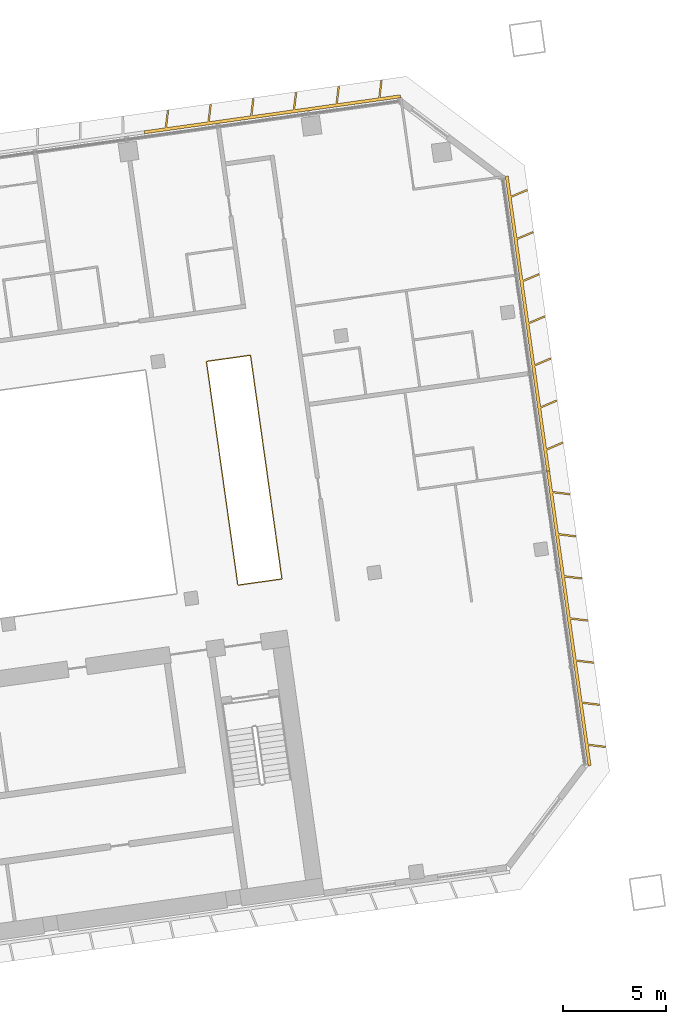
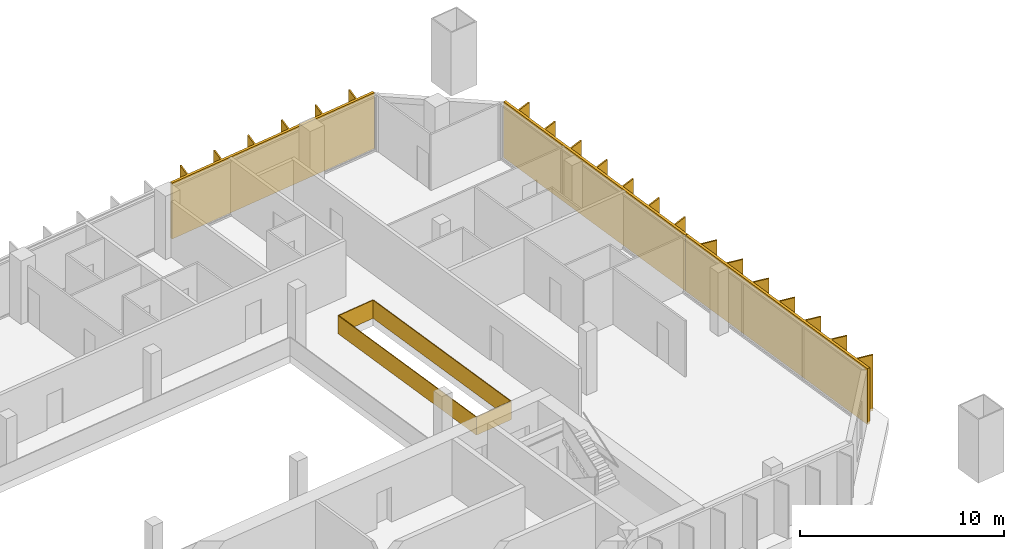
# One storey, part 27 of 27: 3 shading devices, 1 railing.
"""IFC4 building model written with IfcOpenShell, lengths in metres."""

from ifc_helpers import new_model, si_unit, direction, frame, origin, origin_2d, place, context, subcontext, project, spatial, polyline, rectangle, outline, extrude, material, type_object, element, save


model = new_model("IFC4")

# Units and contexts
model_context = context("Model", 3, precision=1e-05, world=origin(), true_north=direction((0.0, 1.0)))
body_context = subcontext(model_context, "Body", "Model", "MODEL_VIEW")
ifc_project = project(units=[si_unit("LENGTHUNIT", "METRE"), si_unit("AREAUNIT", "SQUARE_METRE"), si_unit("VOLUMEUNIT", "CUBIC_METRE"), si_unit("PLANEANGLEUNIT", "RADIAN"), si_unit("MASSUNIT", "GRAM", prefix="KILO")], contexts=[model_context])

# Site, building, storey
site_placement = place(None, origin())
site = spatial("IfcSite", under=ifc_project, at=site_placement, CompositionType="ELEMENT")
building_placement = place(site_placement, origin())
building = spatial("IfcBuilding", under=site, at=building_placement, Name="Mirante Cascada Hotel Towers", CompositionType="ELEMENT")
storey_placement = place(building_placement, frame((0.0, 0.0, 117.7)))
storey = spatial("IfcBuildingStorey", under=building, at=storey_placement, Name="L26", CompositionType="ELEMENT", Elevation=117.7)

# Railing
ifc_material_1 = material(Name="Toughened glass with stainless steel handrail", Category="steel")
railing_type = type_object("IfcRailingType", Name="Atrium guard 1100 glass balustrade", PredefinedType="GUARDRAIL", material=ifc_material_1)
railing_placement = place(storey_placement, frame((86.2624, 2.4738, 0.0)))
element("IfcRailing", 1, at=railing_placement, inside=storey, type_object=railing_type, Name="GUARD 2-L26-3", PredefinedType="GUARDRAIL", context=body_context, shape_type="SweptSolid", body=[
    extrude(rectangle(XDim=0.048, YDim=0.048, at=origin_2d()), frame((0.0, 0.0, 1.076), z_axis=(0.9902724, 0.1391422, 0.0), x_axis=(-0.1391422, 0.9902724, 0.0)), (0.0, 0.0, 1.0), 2.1625),
    extrude(rectangle(XDim=0.02, YDim=1.052, at=origin_2d()), frame((0.0, 0.0, 0.526), z_axis=(0.9902724, 0.1391422, 0.0), x_axis=(-0.1391422, 0.9902724, 0.0)), (0.0, 0.0, 1.0), 2.1625),
    extrude(rectangle(XDim=0.048, YDim=0.048, at=origin_2d()), frame((2.1415, 0.3009, 1.076), z_axis=(-0.1391721, 0.9902682, 0.0), x_axis=(-0.9902682, -0.1391721, 0.0)), (0.0, 0.0, 1.0), 11.0001),
    extrude(rectangle(XDim=0.02, YDim=1.052, at=origin_2d()), frame((2.1415, 0.3009, 0.526), z_axis=(-0.1391721, 0.9902682, 0.0), x_axis=(-0.9902682, -0.1391721, 0.0)), (0.0, 0.0, 1.0), 11.0001),
    extrude(rectangle(XDim=0.048, YDim=0.048, at=origin_2d()), frame((0.6106, 11.1939, 1.076), z_axis=(-0.990266, -0.1391875, 0.0), x_axis=(0.1391875, -0.990266, 0.0)), (0.0, 0.0, 1.0), 2.1626),
    extrude(rectangle(XDim=0.02, YDim=1.052, at=origin_2d()), frame((0.6106, 11.1939, 0.526), z_axis=(-0.990266, -0.1391875, 0.0), x_axis=(0.1391875, -0.990266, 0.0)), (0.0, 0.0, 1.0), 2.1626),
    extrude(rectangle(XDim=0.048, YDim=0.048, at=origin_2d()), frame((-1.5309, 10.8929, 1.076), z_axis=(0.1391733, -0.990268, 0.0), x_axis=(0.990268, 0.1391733, 0.0)), (0.0, 0.0, 1.0), 11.0),
    extrude(rectangle(XDim=0.02, YDim=1.052, at=origin_2d()), frame((-1.5309, 10.8929, 0.526), z_axis=(0.1391733, -0.990268, 0.0), x_axis=(0.990268, 0.1391733, 0.0)), (0.0, 0.0, 1.0), 11.0),
])

# Shading devices
ifc_material_2 = material(Name="White precast concrete C50/60 fin", Category="concrete")
shading_device_type = type_object("IfcShadingDeviceType", Name="Vertical fin set 4500x900", PredefinedType="USERDEFINED", material=ifc_material_2)
shading_device_1_placement = place(storey_placement, origin())
element("IfcShadingDevice", 2, at=shading_device_1_placement, inside=storey, type_object=shading_device_type, Name="FIN T2 L26 front 1", ObjectType="FIN", PredefinedType="USERDEFINED", context=body_context, shape_type="SweptSolid", body=[
    extrude(outline(polyline([(82.8967, 25.5893), (82.7946, 24.758), (84.7922, 25.0387), (84.8968, 25.8913), (84.9762, 25.8815), (84.8742, 25.0503), (86.8717, 25.331), (86.9764, 26.1835), (87.0558, 26.1738), (86.9537, 25.3425), (88.9513, 25.6233), (89.056, 26.4758), (89.1354, 26.4661), (89.0333, 25.6348), (91.0308, 25.9155), (91.1355, 26.7681), (91.2149, 26.7583), (91.1129, 25.9271), (93.1104, 26.2078), (93.2151, 27.0603), (93.2945, 27.0506), (93.1924, 26.2193), (94.1779, 26.3578), (94.1988, 26.2093), (81.7214, 24.4557), (81.7006, 24.6042), (82.7126, 24.7465), (82.8173, 25.599), (82.8967, 25.5893)])), origin(), (0.0, 0.0, 1.0), 3.35),
])
shading_device_2_placement = place(storey_placement, origin())
element("IfcShadingDevice", 3, at=shading_device_2_placement, inside=storey, type_object=shading_device_type, Name="FIN T2 L26 outer 1", ObjectType="FIN", PredefinedType="USERDEFINED", context=body_context, shape_type="SweptSolid", body=[
    extrude(outline(polyline([(104.1606, -5.4483), (103.3293, -5.3462), (103.4659, -6.3175), (103.3173, -6.3384), (101.2993, 8.0205), (101.4478, 8.0413), (101.5881, 7.0434), (102.4406, 6.9388), (102.4309, 6.8594), (101.5996, 6.9614), (101.8764, 4.9922), (102.7289, 4.8875), (102.7192, 4.8081), (101.8879, 4.9102), (102.1647, 2.9409), (103.0172, 2.8362), (103.0075, 2.7568), (102.1762, 2.8589), (102.4529, 0.8896), (103.3055, 0.785), (103.2957, 0.7056), (102.4645, 0.8076), (102.7412, -1.1616), (103.5938, -1.2663), (103.584, -1.3457), (102.7528, -1.2436), (103.0295, -3.2129), (103.8821, -3.3176), (103.8723, -3.397), (103.041, -3.2949), (103.3178, -5.2642), (104.1704, -5.3689), (104.1606, -5.4483)])), origin(), (0.0, 0.0, 1.0), 3.35),
])
shading_device_3_placement = place(storey_placement, origin())
element("IfcShadingDevice", 4, at=shading_device_3_placement, inside=storey, type_object=shading_device_type, Name="FIN T2 L26 outer 2", ObjectType="FIN", PredefinedType="USERDEFINED", context=body_context, shape_type="SweptSolid", body=[
    extrude(outline(polyline([(102.0983, 9.3749), (101.3076, 9.0392), (101.4478, 8.0413), (101.2993, 8.0205), (99.2813, 22.3794), (99.4298, 22.4002), (99.5663, 21.4289), (100.3373, 21.7561), (100.3685, 21.6825), (99.5779, 21.3469), (99.8546, 19.3776), (100.6256, 19.7048), (100.6568, 19.6312), (99.8662, 19.2956), (100.1429, 17.3263), (100.9139, 17.6536), (100.9451, 17.5799), (100.1544, 17.2443), (100.4312, 15.2751), (101.2021, 15.6023), (101.2334, 15.5287), (100.4427, 15.193), (100.7195, 13.2238), (101.4904, 13.551), (101.5217, 13.4774), (100.731, 13.1418), (101.0078, 11.1725), (101.7787, 11.4998), (101.81, 11.4261), (101.0193, 11.0905), (101.2961, 9.1212), (102.067, 9.4485), (102.0983, 9.3749)])), origin(), (0.0, 0.0, 1.0), 3.35),
])

save(model, "model.ifc")
